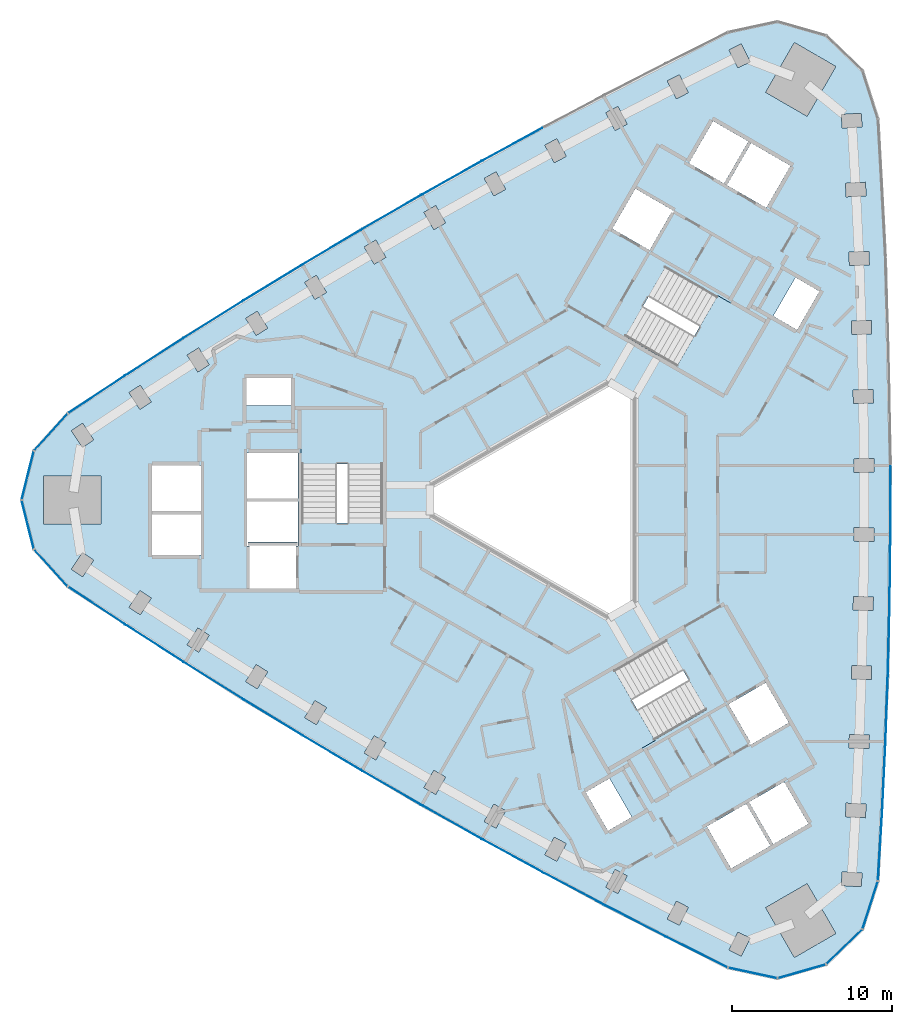
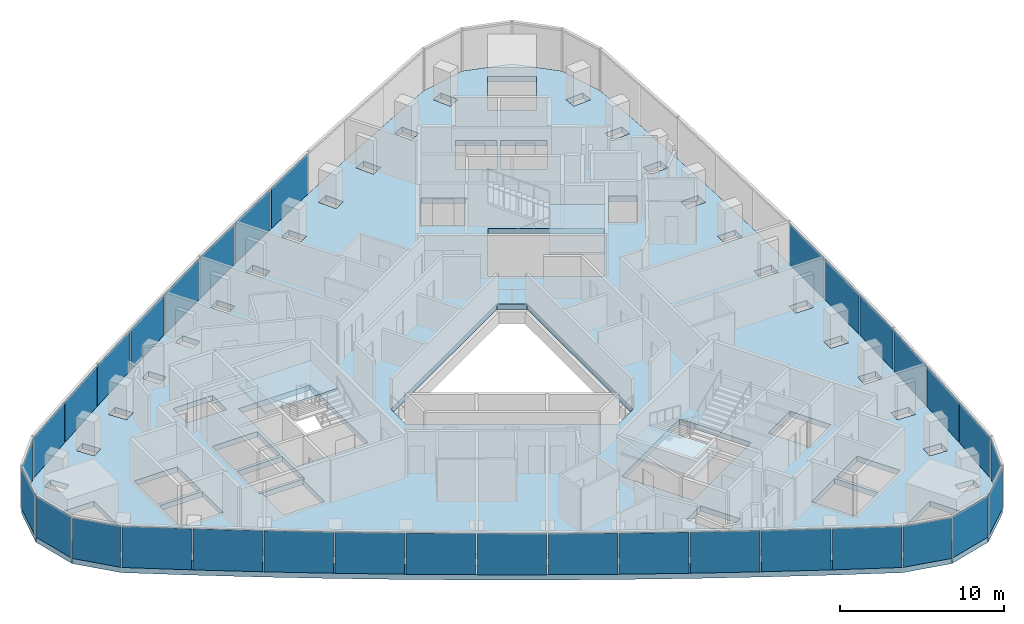
# One storey, part 6 of 13: 33 plates, 4 slabs, 6 elements without a shape of their own.
"""IFC4 building model written with IfcOpenShell, lengths in metres."""

import ifcopenshell
import ifcopenshell.guid

model = None  # the IFC model being written
_history = None  # IfcOwnerHistory: only IFC2X3 demands one
_inside = {}  # id of a spatial element -> (the spatial element, [elements in it])
_under = {}  # id of a project, library or spatial element -> (it, [spatial elements below it])
_declared = {}  # id of a project -> (the project, [libraries it declares])
_typed = {}  # id of a type object -> (the type object, [elements of that type])
_made_of = {}  # id of a material, layer set ... -> (it, [elements and type objects made of it])


def new_model(schema):
    """Start an empty IFC model of exactly this schema.

    Asked for "IFC4X3", IfcOpenShell would pick the latest addendum, in which some entities
    have other attributes; the version numbers below select the first issue.
    IFC2X3 requires an IfcOwnerHistory on every rooted entity: one is made here for all.
    """
    global model, _history
    if schema == "IFC4X3":
        model = ifcopenshell.file(schema_version=(4, 3, 0, 0))
    else:
        model = ifcopenshell.file(schema=schema)
    _inside.clear()
    _under.clear()
    _declared.clear()
    _typed.clear()
    _made_of.clear()
    _history = None
    if model.schema == "IFC2X3":
        org = make("IfcOrganization", Name="unknown")
        user = make(
            "IfcPersonAndOrganization",
            ThePerson=make("IfcPerson", FamilyName="unknown"),
            TheOrganization=org,
        )
        app = make(
            "IfcApplication",
            ApplicationDeveloper=org,
            Version="unknown",
            ApplicationFullName="unknown",
            ApplicationIdentifier="unknown",
        )
        _history = make(
            "IfcOwnerHistory",
            OwningUser=user,
            OwningApplication=app,
            ChangeAction="ADDED",
            CreationDate=0,
        )
    return model


def make(cls, **values):
    """One entity of the class cls with the attributes given. An attribute that is None is left unset."""
    return model.create_entity(
        cls, **{name: value for name, value in values.items() if value is not None}
    )


def rooted(cls, **values):
    """An entity with a GlobalId (a new one), such as an element, a storey or a relation."""
    return make(cls, GlobalId=ifcopenshell.guid.new(), OwnerHistory=_history, **values)


def si_unit(unit_type, name, prefix=None):
    """IfcSIUnit, for example si_unit("LENGTHUNIT", "METRE", prefix="MILLI")."""
    return make("IfcSIUnit", UnitType=unit_type, Prefix=prefix, Name=name)


def assignment(units):
    """IfcUnitAssignment: the units of a project."""
    return None if units is None else make("IfcUnitAssignment", Units=units)


def point(xyz):
    """IfcCartesianPoint."""
    return None if xyz is None else make("IfcCartesianPoint", Coordinates=xyz)


def direction(xyz):
    """IfcDirection."""
    return None if xyz is None else make("IfcDirection", DirectionRatios=xyz)


def frame(location, z_axis=None, x_axis=None):
    """IfcAxis2Placement3D, a coordinate frame: its origin and axes. An axis left out is left unset."""
    return make(
        "IfcAxis2Placement3D",
        Location=point(location),
        Axis=direction(z_axis),
        RefDirection=direction(x_axis),
    )


def frame_2d(location, x_axis=None):
    """IfcAxis2Placement2D, a coordinate frame in the plane: its origin and x axis."""
    return make(
        "IfcAxis2Placement2D", Location=point(location), RefDirection=direction(x_axis)
    )


def origin():
    """The frame at (0, 0, 0) with its axes left unset."""
    return frame((0.0, 0.0, 0.0))


def origin_2d():
    """The frame at (0, 0) in the plane with its x axis left unset."""
    return frame_2d((0.0, 0.0))


def place(relative_to, where):
    """IfcLocalPlacement: puts the frame where relative to a parent placement (None: the world)."""
    return make(
        "IfcLocalPlacement", PlacementRelTo=relative_to, RelativePlacement=where
    )


def context(
    kind, dimensions, precision=None, world=None, true_north=None, identifier=None
):
    """IfcGeometricRepresentationContext, for example the 3D "Model" context."""
    return make(
        "IfcGeometricRepresentationContext",
        ContextIdentifier=identifier,
        ContextType=kind,
        CoordinateSpaceDimension=dimensions,
        Precision=precision,
        WorldCoordinateSystem=world,
        TrueNorth=true_north,
    )


def subcontext(parent, identifier, kind, view, scale=None):
    """IfcGeometricRepresentationSubContext, for example "Body" below "Model"."""
    return make(
        "IfcGeometricRepresentationSubContext",
        ContextIdentifier=identifier,
        ContextType=kind,
        ParentContext=parent,
        TargetScale=scale,
        TargetView=view,
    )


def project(units=None, contexts=None):
    """IfcProject with its units and contexts."""
    return rooted(
        "IfcProject",
        Name="project",
        RepresentationContexts=contexts,
        UnitsInContext=assignment(units),
    )


def spatial(cls, under=None, at=None, **own):
    """A site, building, storey or space (cls), placed at a placement, below another one or the project."""
    s = rooted(cls, ObjectPlacement=at, **own)
    if under is not None:
        _under.setdefault(under.id(), (under, []))[1].append(s)
    return s


def polyline(points):
    """IfcPolyline through the points."""
    return make("IfcPolyline", Points=[point(p) for p in points])


def profile(cls, at=None, kind="AREA", **sizes):
    """A parametric profile (cls). Its sizes go by their IFC names, for example OverallWidth=200.0."""
    return make(cls, ProfileType=kind, Position=at, **sizes)


def rectangle(**sizes):
    """IfcRectangleProfileDef."""
    return profile("IfcRectangleProfileDef", **sizes)


def outline(outer, holes=None, kind="AREA"):
    """IfcArbitraryClosedProfileDef: a profile drawn as a closed curve; with holes, ...WithVoids."""
    if holes is None:
        return make("IfcArbitraryClosedProfileDef", ProfileType=kind, OuterCurve=outer)
    return make(
        "IfcArbitraryProfileDefWithVoids",
        ProfileType=kind,
        OuterCurve=outer,
        InnerCurves=holes,
    )


def extrude(swept, where, along, depth):
    """IfcExtrudedAreaSolid: the profile swept, set in the frame where, extruded along a direction by depth."""
    return make(
        "IfcExtrudedAreaSolid",
        SweptArea=swept,
        Position=where,
        ExtrudedDirection=direction(along),
        Depth=depth,
    )


def shape(context_of_items, identifier, shape_type, items):
    """IfcShapeRepresentation: the items that make up one representation, for example the "Body"."""
    return make(
        "IfcShapeRepresentation",
        ContextOfItems=context_of_items,
        RepresentationIdentifier=identifier,
        RepresentationType=shape_type,
        Items=items,
    )


def material(Name=None, Category=None):
    """IfcMaterial."""
    return make("IfcMaterial", Name=Name, Category=Category)


def layer(
    of_material, thickness, ventilated=None, Name=None, Category=None, Priority=None
):
    """IfcMaterialLayer: one layer of a wall or slab, of a material (None: an air gap)."""
    return make(
        "IfcMaterialLayer",
        Material=of_material,
        LayerThickness=thickness,
        IsVentilated=ventilated,
        Name=Name,
        Category=Category,
        Priority=Priority,
    )


def layer_set(layers, Name=None):
    """IfcMaterialLayerSet."""
    return make("IfcMaterialLayerSet", MaterialLayers=layers, LayerSetName=Name)


def made_of(thing, what):
    """Note that an element or type object is made of a material, layer set ...; save() writes the relation."""
    if what is not None:
        _made_of.setdefault(what.id(), (what, []))[1].append(thing)
    return thing


def type_object(cls, material=None, **own):
    """A type object (cls), such as IfcWallType, which elements share."""
    return made_of(rooted(cls, **own), material)


def element(
    cls,
    number,
    at=None,
    inside=None,
    cuts=None,
    type_object=None,
    material=None,
    context=None,
    identifier="Body",
    shape_type=None,
    held_by="IfcProductDefinitionShape",
    body=None,
    shapes=None,
    **own,
):
    """One element of the class cls, such as IfcWall. Its Tag is "e" and its number.

    at: its placement. inside: the storey or other place that contains it. cuts: it is an
    opening in that element (IfcRelVoidsElement). A single representation is given by context,
    identifier, shape_type and body (its items); several are given by shapes. held_by: the class
    of the entity that holds the representations. save() writes the other relations.
    """
    e = rooted(cls, Tag="e%d" % number, ObjectPlacement=at, **own)
    if body is not None:
        shapes = [shape(context, identifier, shape_type, body)]
    if shapes is not None:
        e.Representation = make(held_by, Representations=shapes)
    if inside is not None:
        _inside.setdefault(inside.id(), (inside, []))[1].append(e)
    if cuts is not None:
        rooted(
            "IfcRelVoidsElement", RelatingBuildingElement=cuts, RelatedOpeningElement=e
        )
    if type_object is not None:
        _typed.setdefault(type_object.id(), (type_object, []))[1].append(e)
    return made_of(e, material)


def aggregate(whole, parts):
    """IfcRelAggregates: a whole, such as a stair, and the parts it consists of."""
    return rooted("IfcRelAggregates", RelatingObject=whole, RelatedObjects=parts)


def save(model, path):
    """Write the relations noted so far, then the file.

    IfcRelAggregates (storeys below a building ...), IfcRelContainedInSpatialStructure (elements
    in a storey), IfcRelDefinesByType, IfcRelAssociatesMaterial and IfcRelDeclares: one each for
    every whole, place, type object, material and project.
    """
    for whole, parts in _under.values():
        aggregate(whole, parts)
    for where, things in _inside.values():
        rooted(
            "IfcRelContainedInSpatialStructure",
            RelatedElements=things,
            RelatingStructure=where,
        )
    for kind, things in _typed.values():
        rooted("IfcRelDefinesByType", RelatedObjects=things, RelatingType=kind)
    for what, things in _made_of.values():
        rooted("IfcRelAssociatesMaterial", RelatedObjects=things, RelatingMaterial=what)
    for by, libraries in _declared.values():
        rooted("IfcRelDeclares", RelatingContext=by, RelatedDefinitions=libraries)
    model.write(path)


model = new_model("IFC4")

# Units and contexts
model_context = context("Model", 3, precision=1e-05, world=origin(), true_north=direction((0.0, 1.0)))
body_context = subcontext(model_context, "Body", "Model", "MODEL_VIEW")
ifc_project = project(units=[si_unit("LENGTHUNIT", "METRE"), si_unit("AREAUNIT", "SQUARE_METRE"), si_unit("VOLUMEUNIT", "CUBIC_METRE"), si_unit("PLANEANGLEUNIT", "RADIAN"), si_unit("MASSUNIT", "GRAM", prefix="KILO")], contexts=[model_context])

# Site, building, storey
site_placement = place(None, origin())
site = spatial("IfcSite", under=ifc_project, at=site_placement, CompositionType="ELEMENT")
building_placement = place(site_placement, origin())
building = spatial("IfcBuilding", under=site, at=building_placement, Name="Tamra Quay Hotel Tower", CompositionType="ELEMENT")
storey_placement = place(building_placement, frame((0.0, 0.0, 161.199951171875)))
storey = spatial("IfcBuildingStorey", under=building, at=storey_placement, Name="L40", CompositionType="ELEMENT", Elevation=161.199951171875)

# Stair, slab
ifc_material_1 = material(Name="Exit stair 2200 24 risers 150.0 going 342")
stair_type = type_object("IfcStairType", Name="Exit stair 2200 24 risers 150.0 going 342", PredefinedType="HALF_TURN_STAIR", material=ifc_material_1)
stair_1_placement = place(storey_placement, origin())
stair_1 = element("IfcStair", 1, at=stair_1_placement, inside=storey, type_object=stair_type, Name="L40 Exit stair ST3", PredefinedType="HALF_TURN_STAIR")
ifc_material_2 = material(Name="Concrete M70", Category="concrete")
ifc_layer_1 = layer(ifc_material_2, 0.175048828125)
ifc_layer_set_1 = layer_set([ifc_layer_1], Name="Concrete M70 stair landing 180")
slab_type_1 = type_object("IfcSlabType", Name="Concrete M70 stair landing 180", PredefinedType="LANDING", material=ifc_layer_set_1)
slab_1_placement = place(storey_placement, frame((0.0, 0.0, 1.625)))
slab_1 = element("IfcSlab", 2, at=slab_1_placement, type_object=slab_type_1, Name="ST3 landing 1", PredefinedType="LANDING", context=body_context, shape_type="SweptSolid", body=[
    extrude(outline(polyline([(-10.932373046875, 2.261962890625), (-10.932373046875, 5.679931640625), (-16.09130859375, 5.679931640625), (-16.09130859375, 2.261962890625), (-10.932373046875, 2.261962890625)])), origin(), (0.0, 0.0, 1.0), 0.175048828125),
])
aggregate(stair_1, [slab_1])

stair_2_placement = place(storey_placement, origin())
stair_2 = element("IfcStair", 3, at=stair_2_placement, inside=storey, type_object=stair_type, Name="L40 Exit stair ST1", PredefinedType="HALF_TURN_STAIR")
slab_2_placement = place(storey_placement, frame((0.0, 0.0, 1.625)))
slab_2 = element("IfcSlab", 4, at=slab_2_placement, type_object=slab_type_1, Name="ST1 landing 1", PredefinedType="LANDING", context=body_context, shape_type="SweptSolid", body=[
    extrude(outline(polyline([(7.425048828125, 8.336669921875), (10.385009765625, 6.627685546875), (12.964599609375, 11.095458984375), (10.00439453125, 12.804443359375), (7.425048828125, 8.336669921875)])), origin(), (0.0, 0.0, 1.0), 0.175048828125),
])
aggregate(stair_2, [slab_2])

stair_3_placement = place(storey_placement, origin())
stair_3 = element("IfcStair", 5, at=stair_3_placement, inside=storey, type_object=stair_type, Name="L40 Exit stair ST2", PredefinedType="HALF_TURN_STAIR")
slab_3_placement = place(storey_placement, frame((0.0, 0.0, 1.625)))
slab_3 = element("IfcSlab", 6, at=slab_3_placement, type_object=slab_type_1, Name="ST2 landing 1", PredefinedType="LANDING", context=body_context, shape_type="SweptSolid", body=[
    extrude(outline(polyline([(3.50732421875, -10.5986328125), (0.547119140625, -12.3076171875), (3.126708984375, -16.775390625), (6.086669921875, -15.06640625), (3.50732421875, -10.5986328125)])), origin(), (0.0, 0.0, 1.0), 0.175048828125),
])
aggregate(stair_3, [slab_3])

# Slab
ifc_material_3 = material(Name="Concrete M60", Category="concrete")
ifc_layer_2 = layer(ifc_material_3, 0.39990234375)
ifc_layer_set_2 = layer_set([ifc_layer_2], Name="FLOOR SLAB PT 400")
slab_type_2 = type_object("IfcSlabType", Name="FLOOR SLAB PT 400", PredefinedType="FLOOR", material=ifc_layer_set_2)
slab_4_placement = place(storey_placement, frame((0.0, 0.0, -0.39990234375)))
element("IfcSlab", 7, at=slab_4_placement, inside=storey, type_object=slab_type_2, Name="SLAB-L40", PredefinedType="FLOOR", context=body_context, shape_type="SweptSolid", body=[
    extrude(outline(polyline([(20.301025390625, 19.53076171875), (20.50830078125, 15.19384765625), (20.6640625, 10.85400390625), (20.767822265625, 6.5126953125), (20.81982421875, 2.17138671875), (20.81982421875, -2.17138671875), (20.767822265625, -6.5126953125), (20.6640625, -10.85400390625), (20.50830078125, -15.19384765625), (20.301025390625, -19.53076171875), (20.0419921875, -23.864990234375), (19.072265625, -26.883544921875), (16.794189453125, -29.088134765625), (13.74560546875, -29.958740234375), (10.646728515625, -29.28955078125), (6.763427734375, -27.3466796875), (2.904052734375, -25.35791015625), (-0.93212890625, -23.32275390625), (-4.74365234375, -21.24169921875), (-8.529541015625, -19.1162109375), (-12.290283203125, -16.94482421875), (-16.024169921875, -14.72900390625), (-19.73193359375, -12.468505859375), (-23.41259765625, -10.163818359375), (-27.064697265625, -7.81591796875), (-30.688720703125, -5.42431640625), (-32.81787109375, -3.0751953125), (-33.588134765625, 0.0), (-32.81787109375, 3.0751953125), (-30.688720703125, 5.42431640625), (-27.064697265625, 7.81591796875), (-23.41259765625, 10.163818359375), (-19.73193359375, 12.468505859375), (-16.024169921875, 14.72900390625), (-12.290283203125, 16.94482421875), (-8.529541015625, 19.1162109375), (-4.74365234375, 21.24169921875), (-0.93212890625, 23.32275390625), (2.904052734375, 25.35791015625), (6.763427734375, 27.3466796875), (10.646728515625, 29.28955078125), (13.74560546875, 29.958740234375), (16.794189453125, 29.088134765625), (19.072265625, 26.883544921875), (20.0419921875, 23.864990234375), (20.301025390625, 19.53076171875)]), holes=[polyline([(-12.1396484375, -15.846435546875), (-11.406005859375, -16.27587890625), (-10.7744140625, -15.197265625), (-11.5078125, -14.767578125), (-12.1396484375, -15.846435546875)]), polyline([(-15.216796875, -12.561279296875), (-15.86083984375, -13.632568359375), (-15.13232421875, -14.0703125), (-14.48828125, -12.9990234375), (-15.216796875, -12.561279296875)]), polyline([(-18.898193359375, -10.310791015625), (-19.55517578125, -11.3740234375), (-18.83203125, -11.82080078125), (-18.175048828125, -10.757568359375), (-18.898193359375, -10.310791015625)]), polyline([(-22.55224609375, -8.016357421875), (-23.222412109375, -9.071533203125), (-22.5048828125, -9.527099609375), (-21.834716796875, -8.471923828125), (-22.55224609375, -8.016357421875)]), polyline([(-26.179931640625, -5.678466796875), (-26.862060546875, -6.725830078125), (-26.149658203125, -7.189697265625), (-25.467529296875, -6.142333984375), (-26.179931640625, -5.678466796875)]), polyline([(-16.3173828125, -2.85498046875), (-19.4072265625, -2.85498046875), (-19.4072265625, -2.89306640625), (-19.307373046875, -2.89306640625), (-19.307373046875, -5.544921875), (-16.417236328125, -5.544921875), (-16.417236328125, -2.89306640625), (-16.3173828125, -2.89306640625), (-16.3173828125, -2.85498046875)]), polyline([(-29.77880859375, -3.297607421875), (-30.473388671875, -4.3369140625), (-29.7666015625, -4.80908203125), (-29.072021484375, -3.77001953125), (-29.77880859375, -3.297607421875)]), polyline([(-22.3671875, -0.905029296875), (-25.4072265625, -0.905029296875), (-25.4072265625, -3.445068359375), (-22.3671875, -3.445068359375), (-22.3671875, -0.905029296875)]), polyline([(-19.417236328125, -2.89306640625), (-19.417236328125, -2.64501953125), (-16.307373046875, -2.64501953125), (-16.307373046875, -2.89306640625), (-16.26708984375, -2.89306640625), (-16.26708984375, -0.10498046875), (-19.45751953125, -0.10498046875), (-19.45751953125, -2.89306640625), (-19.417236328125, -2.89306640625)]), polyline([(-28.6142578125, 1.5), (-32.214111328125, 1.5), (-32.214111328125, -1.5), (-28.6142578125, -1.5), (-28.6142578125, 1.5)]), polyline([(-25.4072265625, -0.695068359375), (-22.3671875, -0.695068359375), (-22.3671875, 2.14501953125), (-25.4072265625, 2.14501953125), (-25.4072265625, -0.695068359375)]), polyline([(-19.45751953125, 0.10498046875), (-16.26708984375, 0.10498046875), (-16.26708984375, 2.945068359375), (-19.45751953125, 2.945068359375), (-19.45751953125, 0.10498046875)]), polyline([(-16.036376953125, -1.455078125), (-10.9873046875, -1.455078125), (-10.9873046875, 5.625), (-16.036376953125, 5.625), (-16.036376953125, -1.455078125)]), polyline([(-29.072021484375, 3.77001953125), (-29.7666015625, 4.80908203125), (-30.473388671875, 4.3369140625), (-29.77880859375, 3.297607421875), (-29.072021484375, 3.77001953125)]), polyline([(-26.149658203125, 7.189697265625), (-26.862060546875, 6.725830078125), (-26.179931640625, 5.678466796875), (-25.467529296875, 6.142333984375), (-26.149658203125, 7.189697265625)]), polyline([(-16.71728515625, 7.64501953125), (-19.50732421875, 7.64501953125), (-19.50732421875, 5.9150390625), (-16.71728515625, 5.9150390625), (-16.71728515625, 7.64501953125)]), polyline([(-21.834716796875, 8.471923828125), (-22.5048828125, 9.527099609375), (-23.222412109375, 9.071533203125), (-22.55224609375, 8.016357421875), (-21.834716796875, 8.471923828125)]), polyline([(-18.175048828125, 10.757568359375), (-18.83203125, 11.82080078125), (-19.55517578125, 11.3740234375), (-18.898193359375, 10.310791015625), (-18.175048828125, 10.757568359375)]), polyline([(-14.48828125, 12.9990234375), (-15.13232421875, 14.0703125), (-15.86083984375, 13.632568359375), (-15.216796875, 12.561279296875), (-14.48828125, 12.9990234375)]), polyline([(7.414306640625, -25.126708984375), (6.848388671875, -26.2412109375), (7.606201171875, -26.626220703125), (8.17236328125, -25.51171875), (7.414306640625, -25.126708984375)]), polyline([(3.580322265625, -23.1455078125), (3.00146484375, -24.25341796875), (3.7548828125, -24.64697265625), (4.333740234375, -23.5390625), (3.580322265625, -23.1455078125)]), polyline([(-0.821044921875, -22.219482421875), (-0.072509765625, -22.622314453125), (0.519775390625, -21.521484375), (-0.228759765625, -21.118896484375), (-0.821044921875, -22.219482421875)]), polyline([(13.3056640625, -21.65576171875), (11.78564453125, -19.02294921875), (9.325927734375, -20.443115234375), (10.845947265625, -23.075927734375), (13.3056640625, -21.65576171875)]), polyline([(-4.01318359375, -19.046875), (-4.619140625, -20.14013671875), (-3.875732421875, -20.55224609375), (-3.269775390625, -19.458740234375), (-4.01318359375, -19.046875)]), polyline([(1.73779296875, -18.300048828125), (3.1328125, -20.71630859375), (4.631103515625, -19.851318359375), (3.236083984375, -17.43505859375), (1.73779296875, -18.300048828125)]), polyline([(-7.77392578125, -16.9296875), (-8.392333984375, -18.01611328125), (-7.653564453125, -18.436279296875), (-7.035400390625, -17.35009765625), (-7.77392578125, -16.9296875)]), polyline([(9.2783203125, -13.160400390625), (6.75390625, -8.78759765625), (0.622314453125, -12.32763671875), (3.146728515625, -16.7001953125), (9.2783203125, -13.160400390625)]), polyline([(3.199951171875, 7.39013671875), (-8.0, 0.923828125), (-8.0, -0.923828125), (3.199951171875, -7.39013671875), (4.800048828125, -6.46630859375), (4.800048828125, 6.46630859375), (3.199951171875, 7.39013671875)]), polyline([(4.2333984375, 10.242919921875), (10.364990234375, 6.702880859375), (12.889404296875, 11.075439453125), (6.758056640625, 14.615478515625), (4.2333984375, 10.242919921875)]), polyline([(-10.7744140625, 15.197265625), (-11.406005859375, 16.27587890625), (-12.1396484375, 15.846435546875), (-11.5078125, 14.767578125), (-10.7744140625, 15.197265625)]), polyline([(5.736083984375, 15.645263671875), (7.111083984375, 18.02685546875), (7.19775390625, 17.976806640625), (7.267578125, 18.09814453125), (4.8515625, 19.4931640625), (3.406494140625, 16.990234375), (5.736083984375, 15.645263671875)]), polyline([(-7.035400390625, 17.35009765625), (-7.653564453125, 18.436279296875), (-8.392333984375, 18.01611328125), (-7.77392578125, 16.9296875), (-7.035400390625, 17.35009765625)]), polyline([(-3.269775390625, 19.458740234375), (-3.875732421875, 20.55224609375), (-4.619140625, 20.14013671875), (-4.01318359375, 19.046875), (-3.269775390625, 19.458740234375)]), polyline([(8.2001953125, 21.093017578125), (10.39990234375, 19.822998046875), (11.919921875, 22.455810546875), (9.72021484375, 23.725830078125), (8.2001953125, 21.093017578125)]), polyline([(0.519775390625, 21.521484375), (-0.072509765625, 22.622314453125), (-0.821044921875, 22.219482421875), (-0.228759765625, 21.118896484375), (0.519775390625, 21.521484375)]), polyline([(3.7548828125, 24.64697265625), (3.00146484375, 24.25341796875), (3.580322265625, 23.1455078125), (4.333740234375, 23.5390625), (3.7548828125, 24.64697265625)]), polyline([(8.17236328125, 25.51171875), (7.606201171875, 26.626220703125), (6.848388671875, 26.2412109375), (7.414306640625, 25.126708984375), (8.17236328125, 25.51171875)]), polyline([(12.03369140625, 27.43798828125), (11.480712890625, 28.55908203125), (10.718505859375, 28.18310546875), (11.271240234375, 27.06201171875), (12.03369140625, 27.43798828125)]), polyline([(11.271240234375, -27.06201171875), (10.718505859375, -28.18310546875), (11.480712890625, -28.55908203125), (12.03369140625, -27.43798828125), (11.271240234375, -27.06201171875)]), polyline([(13.008056640625, -25.53076171875), (14.80810546875, -28.648193359375), (17.406005859375, -27.148193359375), (15.606201171875, -24.03076171875), (13.008056640625, -25.53076171875)]), polyline([(17.7451171875, -24.140380859375), (18.99267578125, -24.22216796875), (19.048095703125, -23.3740234375), (17.80078125, -23.292236328125), (17.7451171875, -24.140380859375)]), polyline([(14.1669921875, -17.648193359375), (11.96728515625, -18.91796875), (13.487548828125, -21.55078125), (15.68701171875, -20.281005859375), (14.1669921875, -17.648193359375)]), polyline([(19.255859375, -19.900146484375), (19.301513671875, -19.051513671875), (18.05322265625, -18.984375), (18.007568359375, -19.833251953125), (19.255859375, -19.900146484375)]), polyline([(18.218505859375, -15.5224609375), (19.46728515625, -15.5751953125), (19.50341796875, -14.72607421875), (18.25439453125, -14.67333984375), (18.218505859375, -15.5224609375)]), polyline([(10.68115234375, -12.790283203125), (12.05615234375, -15.171875), (11.969482421875, -15.2216796875), (12.03955078125, -15.343017578125), (14.455810546875, -13.947998046875), (13.0107421875, -11.4453125), (10.68115234375, -12.790283203125)]), polyline([(18.37841796875, -11.2109375), (19.627685546875, -11.248291015625), (19.6533203125, -10.398681640625), (18.40380859375, -10.361328125), (18.37841796875, -11.2109375)]), polyline([(18.48681640625, -6.897705078125), (19.736572265625, -6.919677734375), (19.75146484375, -6.06982421875), (18.501708984375, -6.0478515625), (18.48681640625, -6.897705078125)]), polyline([(18.543212890625, -2.582275390625), (19.793212890625, -2.590087890625), (19.79833984375, -1.739990234375), (18.54833984375, -1.732421875), (18.543212890625, -2.582275390625)]), polyline([(18.54833984375, 1.732421875), (19.79833984375, 1.739990234375), (19.793212890625, 2.590087890625), (18.543212890625, 2.582275390625), (18.54833984375, 1.732421875)]), polyline([(18.501708984375, 6.0478515625), (19.75146484375, 6.06982421875), (19.736572265625, 6.919677734375), (18.48681640625, 6.897705078125), (18.501708984375, 6.0478515625)]), polyline([(18.40380859375, 10.361328125), (19.6533203125, 10.398681640625), (19.627685546875, 11.248291015625), (18.37841796875, 11.2109375), (18.40380859375, 10.361328125)]), polyline([(14.9794921875, 10.655029296875), (16.37451171875, 13.0712890625), (14.876220703125, 13.936279296875), (13.481201171875, 11.52001953125), (14.9794921875, 10.655029296875)]), polyline([(18.25439453125, 14.67333984375), (19.50341796875, 14.72607421875), (19.46728515625, 15.5751953125), (18.218505859375, 15.5224609375), (18.25439453125, 14.67333984375)]), polyline([(18.05322265625, 18.984375), (19.301513671875, 19.051513671875), (19.255859375, 19.900146484375), (18.007568359375, 19.833251953125), (18.05322265625, 18.984375)]), polyline([(12.101806640625, 22.350830078125), (10.58154296875, 19.718017578125), (13.041259765625, 18.298095703125), (14.561279296875, 20.930908203125), (12.101806640625, 22.350830078125)]), polyline([(17.80078125, 23.292236328125), (19.048095703125, 23.3740234375), (18.99267578125, 24.22216796875), (17.7451171875, 24.140380859375), (17.80078125, 23.292236328125)]), polyline([(15.606201171875, 24.03076171875), (17.406005859375, 27.148193359375), (14.80810546875, 28.648193359375), (13.008056640625, 25.53076171875), (15.606201171875, 24.03076171875)])]), origin(), (0.0, 0.0, 1.0), 0.39990234375),
])

# Curtain wall, plates
ifc_material_4 = material(Name="Aluminium 6063 anodised dark grey", Category="aluminium")
curtain_wall_type_1 = type_object("IfcCurtainWallType", Name="CW1 CURTAIN WALL", PredefinedType="NOTDEFINED", material=ifc_material_4)
curtain_wall_1_placement = place(storey_placement, origin())
curtain_wall_1 = element("IfcCurtainWall", 8, at=curtain_wall_1_placement, inside=storey, type_object=curtain_wall_type_1, Name="CW1 east face L40", PredefinedType="NOTDEFINED")
ifc_material_5 = material(Name="Glass clear laminated low-iron", Category="glass")
ifc_layer_3 = layer(ifc_material_5, 0.031982421875)
ifc_layer_set_3 = layer_set([ifc_layer_3], Name="GLASS PANEL CW1 Z3")
plate_type_1 = type_object("IfcPlateType", Name="GLASS PANEL CW1 Z3", PredefinedType="CURTAIN_PANEL", material=ifc_layer_set_3)
plate_1_placement = place(storey_placement, frame((20.171630859375, -21.697998046875, 0.0), z_axis=(0.0, 0.0, 1.0), x_axis=(0.05964191564, 0.998219836458, 0.0)))
plate_1 = element("IfcPlate", 9, at=plate_1_placement, type_object=plate_type_1, Name="CW1 glass L40.E.1", PredefinedType="CURTAIN_PANEL", context=body_context, shape_type="SweptSolid", body=[
    extrude(rectangle(XDim=4.2421875, YDim=0.031982421875, at=origin_2d()), origin(), (0.0, 0.0, 1.0), 3.06005859375),
])
plate_2_placement = place(storey_placement, frame((20.40478515625, -17.3623046875, 0.0), z_axis=(0.0, 0.0, 1.0), x_axis=(0.04774710654, 0.998859456489, 0.0)))
plate_2 = element("IfcPlate", 10, at=plate_2_placement, type_object=plate_type_1, Name="CW1 glass L40.E.2", PredefinedType="CURTAIN_PANEL", context=body_context, shape_type="SweptSolid", body=[
    extrude(rectangle(XDim=4.24169921875, YDim=0.031982421875, at=origin_2d()), origin(), (0.0, 0.0, 1.0), 3.06005859375),
])
plate_3_placement = place(storey_placement, frame((20.586181640625, -13.02392578125, 0.0), z_axis=(0.0, 0.0, 1.0), x_axis=(0.03584493651, 0.999357363773, 0.0)))
plate_3 = element("IfcPlate", 11, at=plate_3_placement, type_object=plate_type_1, Name="CW1 glass L40.E.3", PredefinedType="CURTAIN_PANEL", context=body_context, shape_type="SweptSolid", body=[
    extrude(rectangle(XDim=4.24267578125, YDim=0.031982421875, at=origin_2d()), origin(), (0.0, 0.0, 1.0), 3.06005859375),
])
plate_4_placement = place(storey_placement, frame((20.716064453125, -8.683349609375, 0.0), z_axis=(0.0, 0.0, 1.0), x_axis=(0.023896183128, 0.999714445445, 0.0)))
plate_4 = element("IfcPlate", 12, at=plate_4_placement, type_object=plate_type_1, Name="CW1 glass L40.E.4", PredefinedType="CURTAIN_PANEL", context=body_context, shape_type="SweptSolid", body=[
    extrude(rectangle(XDim=4.24267578125, YDim=0.031982421875, at=origin_2d()), origin(), (0.0, 0.0, 1.0), 3.06005859375),
])
plate_5_placement = place(storey_placement, frame((20.793701171875, -4.342041015625, 0.0), z_axis=(0.0, 0.0, 1.0), x_axis=(0.011957026787, 0.9999285122, 0.0)))
plate_5 = element("IfcPlate", 13, at=plate_5_placement, type_object=plate_type_1, Name="CW1 glass L40.E.5", PredefinedType="CURTAIN_PANEL", context=body_context, shape_type="SweptSolid", body=[
    extrude(rectangle(XDim=4.24169921875, YDim=0.031982421875, at=origin_2d()), origin(), (0.0, 0.0, 1.0), 3.06005859375),
])
plate_6_placement = place(storey_placement, frame((20.81982421875, 0.0, 0.0), z_axis=(0.0, 0.0, 1.0), x_axis=(0.0, 1.0, 0.0)))
plate_6 = element("IfcPlate", 14, at=plate_6_placement, type_object=plate_type_1, Name="CW1 glass L40.E.6", PredefinedType="CURTAIN_PANEL", context=body_context, shape_type="SweptSolid", body=[
    extrude(rectangle(XDim=4.24267578125, YDim=0.031982421875, at=origin_2d()), origin(), (0.0, 0.0, 1.0), 3.06005859375),
])
aggregate(curtain_wall_1, [plate_1, plate_2, plate_3, plate_4, plate_5, plate_6])

curtain_wall_type_2 = type_object("IfcCurtainWallType", Name="CW2 CURTAIN WALL", PredefinedType="NOTDEFINED", material=ifc_material_4)
curtain_wall_2_placement = place(storey_placement, origin())
curtain_wall_2 = element("IfcCurtainWall", 15, at=curtain_wall_2_placement, inside=storey, type_object=curtain_wall_type_2, Name="CW2 north-west face L40", PredefinedType="NOTDEFINED")
ifc_layer_4 = layer(ifc_material_5, 0.031982421875)
ifc_layer_set_4 = layer_set([ifc_layer_4], Name="GLASS PANEL CW2 Z3")
plate_type_2 = type_object("IfcPlateType", Name="GLASS PANEL CW2 Z3", PredefinedType="CURTAIN_PANEL", material=ifc_layer_set_4)
plate_7_placement = place(storey_placement, frame((-2.837890625, 22.2822265625, 0.0), z_axis=(0.0, 0.0, 1.0), x_axis=(-0.87772619785, -0.47916252108, 0.0)))
plate_7 = element("IfcPlate", 16, at=plate_7_placement, type_object=plate_type_2, Name="CW2 glass L40.NW.4", PredefinedType="CURTAIN_PANEL", context=body_context, shape_type="SweptSolid", body=[
    extrude(rectangle(XDim=4.24267578125, YDim=0.031982421875, at=origin_2d()), origin(), (0.0, 0.0, 1.0), 3.06005859375),
])
plate_8_placement = place(storey_placement, frame((-6.636474609375, 20.178955078125, 0.0), z_axis=(0.0, 0.0, 1.0), x_axis=(-0.871942006927, -0.489609167149, 0.0)))
plate_8 = element("IfcPlate", 17, at=plate_8_placement, type_object=plate_type_2, Name="CW2 glass L40.NW.5", PredefinedType="CURTAIN_PANEL", context=body_context, shape_type="SweptSolid", body=[
    extrude(rectangle(XDim=4.24169921875, YDim=0.031982421875, at=origin_2d()), origin(), (0.0, 0.0, 1.0), 3.06005859375),
])
plate_9_placement = place(storey_placement, frame((-10.409912109375, 18.030517578125, 0.0), z_axis=(0.0, 0.0, 1.0), x_axis=(-0.866025403784, -0.5, 0.0)))
plate_9 = element("IfcPlate", 18, at=plate_9_placement, type_object=plate_type_2, Name="CW2 glass L40.NW.6", PredefinedType="CURTAIN_PANEL", context=body_context, shape_type="SweptSolid", body=[
    extrude(rectangle(XDim=4.24267578125, YDim=0.031982421875, at=origin_2d()), origin(), (0.0, 0.0, 1.0), 3.06005859375),
])
plate_10_placement = place(storey_placement, frame((-14.1572265625, 15.8369140625, 0.0), z_axis=(0.0, 0.0, 1.0), x_axis=(-0.85998498014, -0.510319345051, 0.0)))
plate_10 = element("IfcPlate", 19, at=plate_10_placement, type_object=plate_type_2, Name="CW2 glass L40.NW.7", PredefinedType="CURTAIN_PANEL", context=body_context, shape_type="SweptSolid", body=[
    extrude(rectangle(XDim=4.24169921875, YDim=0.031982421875, at=origin_2d()), origin(), (0.0, 0.0, 1.0), 3.06005859375),
])
plate_11_placement = place(storey_placement, frame((-17.8779296875, 13.598876953125, 0.0), z_axis=(0.0, 0.0, 1.0), x_axis=(-0.853830014722, -0.520551924365, 0.0)))
plate_11 = element("IfcPlate", 20, at=plate_11_placement, type_object=plate_type_2, Name="CW2 glass L40.NW.8", PredefinedType="CURTAIN_PANEL", context=body_context, shape_type="SweptSolid", body=[
    extrude(rectangle(XDim=4.24267578125, YDim=0.031982421875, at=origin_2d()), origin(), (0.0, 0.0, 1.0), 3.06005859375),
])
plate_12_placement = place(storey_placement, frame((-21.572265625, 11.316162109375, 0.0), z_axis=(0.0, 0.0, 1.0), x_axis=(-0.847546396231, -0.530721307501, 0.0)))
plate_12 = element("IfcPlate", 21, at=plate_12_placement, type_object=plate_type_2, Name="CW2 glass L40.NW.9", PredefinedType="CURTAIN_PANEL", context=body_context, shape_type="SweptSolid", body=[
    extrude(rectangle(XDim=4.24267578125, YDim=0.031982421875, at=origin_2d()), origin(), (0.0, 0.0, 1.0), 3.06005859375),
])
plate_13_placement = place(storey_placement, frame((-25.238525390625, 8.989990234375, 0.0), z_axis=(0.0, 0.0, 1.0), x_axis=(-0.841164110859, -0.540779935465, 0.0)))
plate_13 = element("IfcPlate", 22, at=plate_13_placement, type_object=plate_type_2, Name="CW2 glass L40.NW.10", PredefinedType="CURTAIN_PANEL", context=body_context, shape_type="SweptSolid", body=[
    extrude(rectangle(XDim=4.24169921875, YDim=0.031982421875, at=origin_2d()), origin(), (0.0, 0.0, 1.0), 3.06005859375),
])
plate_14_placement = place(storey_placement, frame((-28.876708984375, 6.6201171875, 0.0), z_axis=(0.0, 0.0, 1.0), x_axis=(-0.834662779115, -0.550761332303, 0.0)))
plate_14 = element("IfcPlate", 23, at=plate_14_placement, type_object=plate_type_2, Name="CW2 glass L40.NW.11", PredefinedType="CURTAIN_PANEL", context=body_context, shape_type="SweptSolid", body=[
    extrude(rectangle(XDim=4.2421875, YDim=0.031982421875, at=origin_2d()), origin(), (0.0, 0.0, 1.0), 3.06005859375),
])
plate_15_placement = place(storey_placement, frame((-31.75341796875, 4.25, 0.0), z_axis=(0.0, 0.0, 1.0), x_axis=(-0.671549804177, -0.740959418936, 0.0)))
plate_15 = element("IfcPlate", 24, at=plate_15_placement, type_object=plate_type_2, Name="CW2 glass L40.NW.12", PredefinedType="CURTAIN_PANEL", context=body_context, shape_type="SweptSolid", body=[
    extrude(rectangle(XDim=3.0703125, YDim=0.031982421875, at=origin_2d()), origin(), (0.0, 0.0, 1.0), 3.06005859375),
])
plate_16_placement = place(storey_placement, frame((-33.203125, 1.53759765625, 0.0), z_axis=(0.0, 0.0, 1.0), x_axis=(-0.242976186667, -0.970032253439, 0.0)))
plate_16 = element("IfcPlate", 25, at=plate_16_placement, type_object=plate_type_2, Name="CW2 glass L40.NW.13", PredefinedType="CURTAIN_PANEL", context=body_context, shape_type="SweptSolid", body=[
    extrude(rectangle(XDim=3.0703125, YDim=0.031982421875, at=origin_2d()), origin(), (0.0, 0.0, 1.0), 3.06005859375),
])
plate_17_placement = place(storey_placement, frame((-33.203125, -1.53759765625, 0.0), z_axis=(0.0, 0.0, 1.0), x_axis=(0.242976186667, -0.970032253439, 0.0)))
plate_17 = element("IfcPlate", 26, at=plate_17_placement, type_object=plate_type_2, Name="CW2 glass L40.NW.14", PredefinedType="CURTAIN_PANEL", context=body_context, shape_type="SweptSolid", body=[
    extrude(rectangle(XDim=3.0703125, YDim=0.031982421875, at=origin_2d()), origin(), (0.0, 0.0, 1.0), 3.06005859375),
])
plate_18_placement = place(storey_placement, frame((-31.75341796875, -4.25, 0.0), z_axis=(0.0, 0.0, 1.0), x_axis=(0.671549804177, -0.740959418936, 0.0)))
plate_18 = element("IfcPlate", 27, at=plate_18_placement, type_object=plate_type_2, Name="CW2 glass L40.NW.15", PredefinedType="CURTAIN_PANEL", context=body_context, shape_type="SweptSolid", body=[
    extrude(rectangle(XDim=3.0703125, YDim=0.031982421875, at=origin_2d()), origin(), (0.0, 0.0, 1.0), 3.06005859375),
])
aggregate(curtain_wall_2, [plate_7, plate_8, plate_9, plate_10, plate_11, plate_12, plate_13, plate_14, plate_15, plate_16, plate_17, plate_18])

curtain_wall_type_3 = type_object("IfcCurtainWallType", Name="CW3 CURTAIN WALL", PredefinedType="NOTDEFINED", material=ifc_material_4)
curtain_wall_3_placement = place(storey_placement, origin())
curtain_wall_3 = element("IfcCurtainWall", 28, at=curtain_wall_3_placement, inside=storey, type_object=curtain_wall_type_3, Name="CW3 south-west face L40", PredefinedType="NOTDEFINED")
ifc_layer_5 = layer(ifc_material_5, 0.031982421875)
ifc_layer_set_5 = layer_set([ifc_layer_5], Name="GLASS PANEL CW3 Z3")
plate_type_3 = type_object("IfcPlateType", Name="GLASS PANEL CW3 Z3", PredefinedType="CURTAIN_PANEL", material=ifc_layer_set_5)
plate_19_placement = place(storey_placement, frame((-28.876708984375, -6.6201171875, 0.0), z_axis=(0.0, 0.0, 1.0), x_axis=(0.834662779115, -0.550761332303, 0.0)))
plate_19 = element("IfcPlate", 29, at=plate_19_placement, type_object=plate_type_3, Name="CW3 glass L40.SW.1", PredefinedType="CURTAIN_PANEL", context=body_context, shape_type="SweptSolid", body=[
    extrude(rectangle(XDim=4.2421875, YDim=0.031982421875, at=origin_2d()), origin(), (0.0, 0.0, 1.0), 3.06005859375),
])
plate_20_placement = place(storey_placement, frame((-25.238525390625, -8.989990234375, 0.0), z_axis=(0.0, 0.0, 1.0), x_axis=(0.841164110859, -0.540779935465, 0.0)))
plate_20 = element("IfcPlate", 30, at=plate_20_placement, type_object=plate_type_3, Name="CW3 glass L40.SW.2", PredefinedType="CURTAIN_PANEL", context=body_context, shape_type="SweptSolid", body=[
    extrude(rectangle(XDim=4.24169921875, YDim=0.031982421875, at=origin_2d()), origin(), (0.0, 0.0, 1.0), 3.06005859375),
])
plate_21_placement = place(storey_placement, frame((-21.572265625, -11.316162109375, 0.0), z_axis=(0.0, 0.0, 1.0), x_axis=(0.847546396231, -0.530721307501, 0.0)))
plate_21 = element("IfcPlate", 31, at=plate_21_placement, type_object=plate_type_3, Name="CW3 glass L40.SW.3", PredefinedType="CURTAIN_PANEL", context=body_context, shape_type="SweptSolid", body=[
    extrude(rectangle(XDim=4.24267578125, YDim=0.031982421875, at=origin_2d()), origin(), (0.0, 0.0, 1.0), 3.06005859375),
])
plate_22_placement = place(storey_placement, frame((-17.8779296875, -13.598876953125, 0.0), z_axis=(0.0, 0.0, 1.0), x_axis=(0.853830014722, -0.520551924365, 0.0)))
plate_22 = element("IfcPlate", 32, at=plate_22_placement, type_object=plate_type_3, Name="CW3 glass L40.SW.4", PredefinedType="CURTAIN_PANEL", context=body_context, shape_type="SweptSolid", body=[
    extrude(rectangle(XDim=4.24267578125, YDim=0.031982421875, at=origin_2d()), origin(), (0.0, 0.0, 1.0), 3.06005859375),
])
plate_23_placement = place(storey_placement, frame((-14.1572265625, -15.8369140625, 0.0), z_axis=(0.0, 0.0, 1.0), x_axis=(0.85998498014, -0.510319345051, 0.0)))
plate_23 = element("IfcPlate", 33, at=plate_23_placement, type_object=plate_type_3, Name="CW3 glass L40.SW.5", PredefinedType="CURTAIN_PANEL", context=body_context, shape_type="SweptSolid", body=[
    extrude(rectangle(XDim=4.24169921875, YDim=0.031982421875, at=origin_2d()), origin(), (0.0, 0.0, 1.0), 3.06005859375),
])
plate_24_placement = place(storey_placement, frame((-10.409912109375, -18.030517578125, 0.0), z_axis=(0.0, 0.0, 1.0), x_axis=(0.866025403784, -0.5, 0.0)))
plate_24 = element("IfcPlate", 34, at=plate_24_placement, type_object=plate_type_3, Name="CW3 glass L40.SW.6", PredefinedType="CURTAIN_PANEL", context=body_context, shape_type="SweptSolid", body=[
    extrude(rectangle(XDim=4.24267578125, YDim=0.031982421875, at=origin_2d()), origin(), (0.0, 0.0, 1.0), 3.06005859375),
])
plate_25_placement = place(storey_placement, frame((-6.636474609375, -20.178955078125, 0.0), z_axis=(0.0, 0.0, 1.0), x_axis=(0.871942006927, -0.489609167149, 0.0)))
plate_25 = element("IfcPlate", 35, at=plate_25_placement, type_object=plate_type_3, Name="CW3 glass L40.SW.7", PredefinedType="CURTAIN_PANEL", context=body_context, shape_type="SweptSolid", body=[
    extrude(rectangle(XDim=4.24169921875, YDim=0.031982421875, at=origin_2d()), origin(), (0.0, 0.0, 1.0), 3.06005859375),
])
plate_26_placement = place(storey_placement, frame((-2.837890625, -22.2822265625, 0.0), z_axis=(0.0, 0.0, 1.0), x_axis=(0.87772619785, -0.47916252108, 0.0)))
plate_26 = element("IfcPlate", 36, at=plate_26_placement, type_object=plate_type_3, Name="CW3 glass L40.SW.8", PredefinedType="CURTAIN_PANEL", context=body_context, shape_type="SweptSolid", body=[
    extrude(rectangle(XDim=4.24267578125, YDim=0.031982421875, at=origin_2d()), origin(), (0.0, 0.0, 1.0), 3.06005859375),
])
plate_27_placement = place(storey_placement, frame((0.986083984375, -24.34033203125, 0.0), z_axis=(0.0, 0.0, 1.0), x_axis=(0.883391332741, -0.468636056272, 0.0)))
plate_27 = element("IfcPlate", 37, at=plate_27_placement, type_object=plate_type_3, Name="CW3 glass L40.SW.9", PredefinedType="CURTAIN_PANEL", context=body_context, shape_type="SweptSolid", body=[
    extrude(rectangle(XDim=4.24267578125, YDim=0.031982421875, at=origin_2d()), origin(), (0.0, 0.0, 1.0), 3.06005859375),
])
plate_28_placement = place(storey_placement, frame((4.833740234375, -26.352294921875, 0.0), z_axis=(0.0, 0.0, 1.0), x_axis=(0.8889112174, -0.458079521023, 0.0)))
plate_28 = element("IfcPlate", 38, at=plate_28_placement, type_object=plate_type_3, Name="CW3 glass L40.SW.10", PredefinedType="CURTAIN_PANEL", context=body_context, shape_type="SweptSolid", body=[
    extrude(rectangle(XDim=4.24169921875, YDim=0.031982421875, at=origin_2d()), origin(), (0.0, 0.0, 1.0), 3.06005859375),
])
plate_29_placement = place(storey_placement, frame((8.705078125, -28.318115234375, 0.0), z_axis=(0.0, 0.0, 1.0), x_axis=(0.894304694754, -0.447458504155, 0.0)))
plate_29 = element("IfcPlate", 39, at=plate_29_placement, type_object=plate_type_3, Name="CW3 glass L40.SW.11", PredefinedType="CURTAIN_PANEL", context=body_context, shape_type="SweptSolid", body=[
    extrude(rectangle(XDim=4.2421875, YDim=0.031982421875, at=origin_2d()), origin(), (0.0, 0.0, 1.0), 3.06005859375),
])
plate_30_placement = place(storey_placement, frame((12.196044921875, -29.624267578125, 0.0), z_axis=(0.0, 0.0, 1.0), x_axis=(0.97746458206, -0.211099480856, 0.0)))
plate_30 = element("IfcPlate", 40, at=plate_30_placement, type_object=plate_type_3, Name="CW3 glass L40.SW.12", PredefinedType="CURTAIN_PANEL", context=body_context, shape_type="SweptSolid", body=[
    extrude(rectangle(XDim=3.0703125, YDim=0.031982421875, at=origin_2d()), origin(), (0.0, 0.0, 1.0), 3.06005859375),
])
plate_31_placement = place(storey_placement, frame((15.269775390625, -29.5234375, 0.0), z_axis=(0.0, 0.0, 1.0), x_axis=(0.961560667302, 0.274592576551, 0.0)))
plate_31 = element("IfcPlate", 41, at=plate_31_placement, type_object=plate_type_3, Name="CW3 glass L40.SW.13", PredefinedType="CURTAIN_PANEL", context=body_context, shape_type="SweptSolid", body=[
    extrude(rectangle(XDim=3.0703125, YDim=0.031982421875, at=origin_2d()), origin(), (0.0, 0.0, 1.0), 3.06005859375),
])
plate_32_placement = place(storey_placement, frame((17.93310546875, -27.98583984375, 0.0), z_axis=(0.0, 0.0, 1.0), x_axis=(0.718584480635, 0.695439676888, 0.0)))
plate_32 = element("IfcPlate", 42, at=plate_32_placement, type_object=plate_type_3, Name="CW3 glass L40.SW.14", PredefinedType="CURTAIN_PANEL", context=body_context, shape_type="SweptSolid", body=[
    extrude(rectangle(XDim=3.0703125, YDim=0.031982421875, at=origin_2d()), origin(), (0.0, 0.0, 1.0), 3.06005859375),
])
plate_33_placement = place(storey_placement, frame((19.55712890625, -25.374267578125, 0.0), z_axis=(0.0, 0.0, 1.0), x_axis=(0.305914777883, 0.952058899792, 0.0)))
plate_33 = element("IfcPlate", 43, at=plate_33_placement, type_object=plate_type_3, Name="CW3 glass L40.SW.15", PredefinedType="CURTAIN_PANEL", context=body_context, shape_type="SweptSolid", body=[
    extrude(rectangle(XDim=3.0703125, YDim=0.031982421875, at=origin_2d()), origin(), (0.0, 0.0, 1.0), 3.06005859375),
])
aggregate(curtain_wall_3, [plate_19, plate_20, plate_21, plate_22, plate_23, plate_24, plate_25, plate_26, plate_27, plate_28, plate_29, plate_30, plate_31, plate_32, plate_33])

save(model, "model.ifc")
